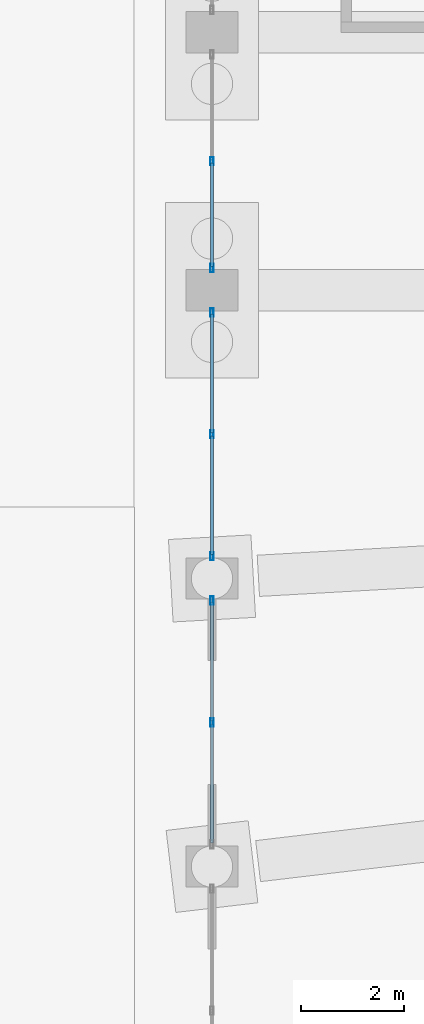
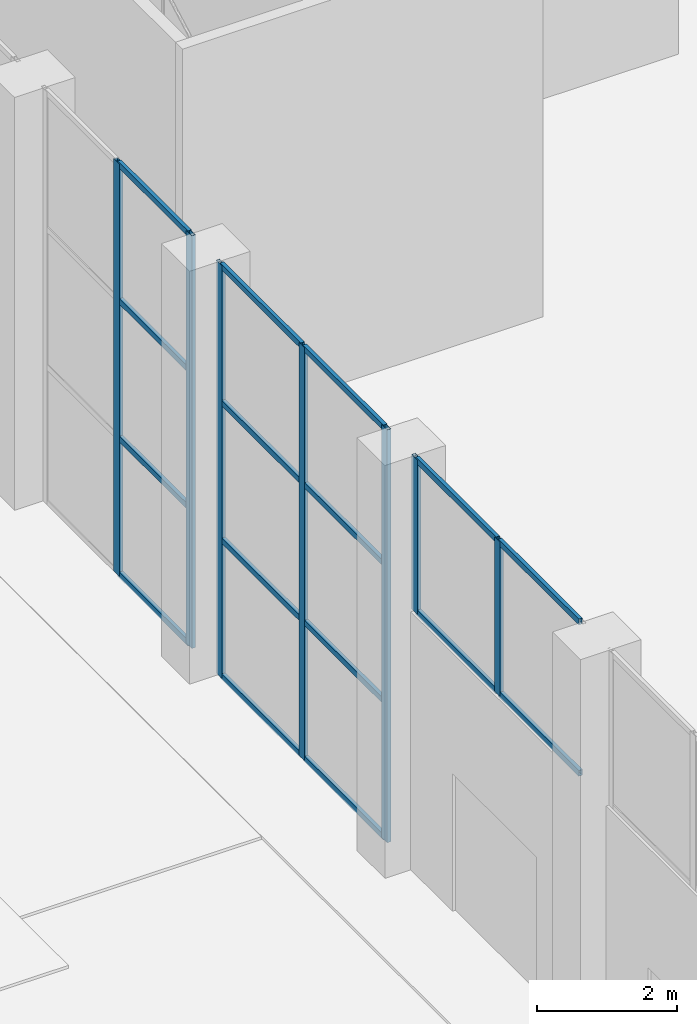
# One storey, part 102 of 239: 23 members, 3 elements without a shape of their own.
"""IFC4 building model written with IfcOpenShell, lengths in metres."""

from ifc_helpers import new_model, si_unit, direction, frame, origin, origin_2d, place, context, subcontext, project, spatial, hollow_rectangle, extrude, material, material_profile, profile_set, type_object, element, aggregate, save


model = new_model("IFC4")

# Units and contexts
model_context = context("Model", 3, precision=1e-05, world=origin(), true_north=direction((0.0, 1.0)))
body_context = subcontext(model_context, "Body", "Model", "MODEL_VIEW")
ifc_project = project(units=[si_unit("LENGTHUNIT", "METRE"), si_unit("AREAUNIT", "SQUARE_METRE"), si_unit("VOLUMEUNIT", "CUBIC_METRE"), si_unit("PLANEANGLEUNIT", "RADIAN"), si_unit("MASSUNIT", "GRAM", prefix="KILO")], contexts=[model_context])

# Site, building, storey
site_placement = place(None, origin())
site = spatial("IfcSite", under=ifc_project, at=site_placement, CompositionType="ELEMENT")
building_placement = place(site_placement, origin())
building = spatial("IfcBuilding", under=site, at=building_placement, Name="Okhra Congress Centre", CompositionType="ELEMENT")
storey_placement = place(building_placement, origin())
storey = spatial("IfcBuildingStorey", under=building, at=storey_placement, Name="L00", CompositionType="ELEMENT", Elevation=0.0)

# Curtain wall, members
ifc_material_1 = material(Name="Aluminium curtain wall, triple glazing", Category="aluminium")
curtain_wall_type = type_object("IfcCurtainWallType", Name="Curtain wall 2100 module", PredefinedType="NOTDEFINED", material=ifc_material_1)
curtain_wall_1_placement = place(storey_placement, origin())
curtain_wall_1 = element("IfcCurtainWall", 1, at=curtain_wall_1_placement, inside=storey, type_object=curtain_wall_type, Name="West bay 2 glazing above the doors", PredefinedType="NOTDEFINED")
ifc_material_2 = material(Name="Aluminium alloy EN AW-6063 T66", Category="aluminium")
ifc_material_profile_1 = material_profile(ifc_material_2, hollow_rectangle(XDim=0.06005859375, YDim=0.159912109375, WallThickness=0.00390625, at=origin_2d()), Name="RHS 60x160x4")
ifc_profile_set_1 = profile_set([ifc_material_profile_1], Name="Aluminium alloy EN AW-6063 T66")
member_type_1 = type_object("IfcMemberType", Name="Curtain wall mullion 60x160", PredefinedType="MULLION", material=ifc_profile_set_1)
member_1_placement = place(storey_placement, frame((155.5, 82.62353515625, 4.5), z_axis=(0.0, 0.0, 1.0), x_axis=(-1.0, 0.0, 0.0)))
member_1 = element("IfcMember", 2, at=member_1_placement, type_object=member_type_1, Name="CW4 mullion 2", PredefinedType="MULLION", context=body_context, shape_type="SweptSolid", body=[
    extrude(hollow_rectangle(XDim=0.06005859375, YDim=0.159912109375, WallThickness=0.00390625, at=origin_2d()), origin(), (0.0, 0.0, 1.0), 2.699951171875),
])
member_2_placement = place(storey_placement, frame((155.5, 84.985595703125, 4.5), z_axis=(0.0, 0.0, 1.0), x_axis=(-1.0, 0.0, 0.0)))
member_2 = element("IfcMember", 3, at=member_2_placement, type_object=member_type_1, Name="CW4 mullion 3", PredefinedType="MULLION", context=body_context, shape_type="SweptSolid", body=[
    extrude(hollow_rectangle(XDim=0.06005859375, YDim=0.159912109375, WallThickness=0.00390625, at=origin_2d()), origin(), (0.0, 0.0, 1.0), 2.699951171875),
])

curtain_wall_2_placement = place(storey_placement, origin())
curtain_wall_2 = element("IfcCurtainWall", 4, at=curtain_wall_2_placement, inside=storey, type_object=curtain_wall_type, Name="West bay 3 glazing", PredefinedType="NOTDEFINED")
member_3_placement = place(storey_placement, frame((155.5, 85.845703125, 0.0), z_axis=(0.0, 0.0, 1.0), x_axis=(-1.0, 0.0, 0.0)))
member_3 = element("IfcMember", 5, at=member_3_placement, type_object=member_type_1, Name="CW4 mullion 1", PredefinedType="MULLION", context=body_context, shape_type="SweptSolid", body=[
    extrude(hollow_rectangle(XDim=0.06005859375, YDim=0.159912109375, WallThickness=0.00390625, at=origin_2d()), origin(), (0.0, 0.0, 1.0), 7.199951171875),
])
member_4_placement = place(storey_placement, frame((155.5, 88.207763671875, 0.0), z_axis=(0.0, 0.0, 1.0), x_axis=(-1.0, 0.0, 0.0)))
member_4 = element("IfcMember", 6, at=member_4_placement, type_object=member_type_1, Name="CW4 mullion 2", PredefinedType="MULLION", context=body_context, shape_type="SweptSolid", body=[
    extrude(hollow_rectangle(XDim=0.06005859375, YDim=0.159912109375, WallThickness=0.00390625, at=origin_2d()), origin(), (0.0, 0.0, 1.0), 7.199951171875),
])
member_5_placement = place(storey_placement, frame((155.5, 90.570068359375, 0.0), z_axis=(0.0, 0.0, 1.0), x_axis=(-1.0, 0.0, 0.0)))
member_5 = element("IfcMember", 7, at=member_5_placement, type_object=member_type_1, Name="CW4 mullion 3", PredefinedType="MULLION", context=body_context, shape_type="SweptSolid", body=[
    extrude(hollow_rectangle(XDim=0.06005859375, YDim=0.159912109375, WallThickness=0.00390625, at=origin_2d()), origin(), (0.0, 0.0, 1.0), 7.199951171875),
])

curtain_wall_3_placement = place(storey_placement, origin())
curtain_wall_3 = element("IfcCurtainWall", 8, at=curtain_wall_3_placement, inside=storey, type_object=curtain_wall_type, Name="West bay 4 glazing", PredefinedType="NOTDEFINED")
member_6_placement = place(storey_placement, frame((155.5, 91.429931640625, 0.0), z_axis=(0.0, 0.0, 1.0), x_axis=(-1.0, 0.0, 0.0)))
member_6 = element("IfcMember", 9, at=member_6_placement, type_object=member_type_1, Name="CW4 mullion 1", PredefinedType="MULLION", context=body_context, shape_type="SweptSolid", body=[
    extrude(hollow_rectangle(XDim=0.06005859375, YDim=0.159912109375, WallThickness=0.00390625, at=origin_2d()), origin(), (0.0, 0.0, 1.0), 7.199951171875),
])
member_7_placement = place(storey_placement, frame((155.5, 93.5, 0.0), z_axis=(0.0, 0.0, 1.0), x_axis=(-1.0, 0.0, 0.0)))
member_7 = element("IfcMember", 10, at=member_7_placement, type_object=member_type_1, Name="CW4 mullion 2", PredefinedType="MULLION", context=body_context, shape_type="SweptSolid", body=[
    extrude(hollow_rectangle(XDim=0.06005859375, YDim=0.159912109375, WallThickness=0.00390625, at=origin_2d()), origin(), (0.0, 0.0, 1.0), 7.199951171875),
])

# Member
ifc_material_profile_2 = material_profile(ifc_material_2, hollow_rectangle(XDim=0.06005859375, YDim=0.10009765625, WallThickness=0.00390625, at=origin_2d()), Name="RHS 60x100x4")
ifc_profile_set_2 = profile_set([ifc_material_profile_2], Name="Aluminium alloy EN AW-6063 T66")
member_type_2 = type_object("IfcMemberType", Name="Curtain wall transom 60x100", PredefinedType="USERDEFINED", material=ifc_profile_set_2)
member_8_placement = place(storey_placement, frame((155.5, 80.291259765625, 4.530029296875), z_axis=(0.0, 1.0, 0.0), x_axis=(-1.0, 0.0, 0.0)))
member_8 = element("IfcMember", 11, at=member_8_placement, type_object=member_type_2, Name="CW4 transom 1.1", ObjectType="TRANSOM", PredefinedType="USERDEFINED", context=body_context, shape_type="SweptSolid", body=[
    extrude(hollow_rectangle(XDim=0.06005859375, YDim=0.10009765625, WallThickness=0.00390625, at=origin_2d()), origin(), (0.0, 0.0, 1.0), 2.30224609375),
])

member_9_placement = place(storey_placement, frame((155.5, 80.291259765625, 7.169921875), z_axis=(0.0, 1.0, 0.0), x_axis=(-1.0, 0.0, 0.0)))
member_9 = element("IfcMember", 12, at=member_9_placement, type_object=member_type_2, Name="CW4 transom 1.2", ObjectType="TRANSOM", PredefinedType="USERDEFINED", context=body_context, shape_type="SweptSolid", body=[
    extrude(hollow_rectangle(XDim=0.06005859375, YDim=0.10009765625, WallThickness=0.00390625, at=origin_2d()), origin(), (0.0, 0.0, 1.0), 2.30224609375),
])

member_10_placement = place(storey_placement, frame((155.5, 82.653564453125, 4.530029296875), z_axis=(0.0, 1.0, 0.0), x_axis=(-1.0, 0.0, 0.0)))
member_10 = element("IfcMember", 13, at=member_10_placement, type_object=member_type_2, Name="CW4 transom 2.1", ObjectType="TRANSOM", PredefinedType="USERDEFINED", context=body_context, shape_type="SweptSolid", body=[
    extrude(hollow_rectangle(XDim=0.06005859375, YDim=0.10009765625, WallThickness=0.00390625, at=origin_2d()), origin(), (0.0, 0.0, 1.0), 2.30224609375),
])

member_11_placement = place(storey_placement, frame((155.5, 82.653564453125, 7.169921875), z_axis=(0.0, 1.0, 0.0), x_axis=(-1.0, 0.0, 0.0)))
member_11 = element("IfcMember", 14, at=member_11_placement, type_object=member_type_2, Name="CW4 transom 2.2", ObjectType="TRANSOM", PredefinedType="USERDEFINED", context=body_context, shape_type="SweptSolid", body=[
    extrude(hollow_rectangle(XDim=0.06005859375, YDim=0.10009765625, WallThickness=0.00390625, at=origin_2d()), origin(), (0.0, 0.0, 1.0), 2.30224609375),
])

aggregate(curtain_wall_1, [member_1, member_2, member_8, member_9, member_10, member_11])

member_12_placement = place(storey_placement, frame((155.5, 85.875732421875, 0.030029296875), z_axis=(0.0, 1.0, 0.0), x_axis=(-1.0, 0.0, 0.0)))
member_12 = element("IfcMember", 15, at=member_12_placement, type_object=member_type_2, Name="CW4 transom 1.1", ObjectType="TRANSOM", PredefinedType="USERDEFINED", context=body_context, shape_type="SweptSolid", body=[
    extrude(hollow_rectangle(XDim=0.06005859375, YDim=0.10009765625, WallThickness=0.00390625, at=origin_2d()), origin(), (0.0, 0.0, 1.0), 2.302001953125),
])

member_13_placement = place(storey_placement, frame((155.5, 85.875732421875, 2.39990234375), z_axis=(0.0, 1.0, 0.0), x_axis=(-1.0, 0.0, 0.0)))
member_13 = element("IfcMember", 16, at=member_13_placement, type_object=member_type_2, Name="CW4 transom 1.2", ObjectType="TRANSOM", PredefinedType="USERDEFINED", context=body_context, shape_type="SweptSolid", body=[
    extrude(hollow_rectangle(XDim=0.06005859375, YDim=0.10009765625, WallThickness=0.00390625, at=origin_2d()), origin(), (0.0, 0.0, 1.0), 2.302001953125),
])

member_14_placement = place(storey_placement, frame((155.5, 85.875732421875, 4.800048828125), z_axis=(0.0, 1.0, 0.0), x_axis=(-1.0, 0.0, 0.0)))
member_14 = element("IfcMember", 17, at=member_14_placement, type_object=member_type_2, Name="CW4 transom 1.3", ObjectType="TRANSOM", PredefinedType="USERDEFINED", context=body_context, shape_type="SweptSolid", body=[
    extrude(hollow_rectangle(XDim=0.06005859375, YDim=0.10009765625, WallThickness=0.00390625, at=origin_2d()), origin(), (0.0, 0.0, 1.0), 2.302001953125),
])

member_15_placement = place(storey_placement, frame((155.5, 85.875732421875, 7.169921875), z_axis=(0.0, 1.0, 0.0), x_axis=(-1.0, 0.0, 0.0)))
member_15 = element("IfcMember", 18, at=member_15_placement, type_object=member_type_2, Name="CW4 transom 1.4", ObjectType="TRANSOM", PredefinedType="USERDEFINED", context=body_context, shape_type="SweptSolid", body=[
    extrude(hollow_rectangle(XDim=0.06005859375, YDim=0.10009765625, WallThickness=0.00390625, at=origin_2d()), origin(), (0.0, 0.0, 1.0), 2.302001953125),
])

member_16_placement = place(storey_placement, frame((155.5, 88.23779296875, 0.030029296875), z_axis=(0.0, 1.0, 0.0), x_axis=(-1.0, 0.0, 0.0)))
member_16 = element("IfcMember", 19, at=member_16_placement, type_object=member_type_2, Name="CW4 transom 2.1", ObjectType="TRANSOM", PredefinedType="USERDEFINED", context=body_context, shape_type="SweptSolid", body=[
    extrude(hollow_rectangle(XDim=0.06005859375, YDim=0.10009765625, WallThickness=0.00390625, at=origin_2d()), origin(), (0.0, 0.0, 1.0), 2.30224609375),
])

member_17_placement = place(storey_placement, frame((155.5, 88.23779296875, 2.39990234375), z_axis=(0.0, 1.0, 0.0), x_axis=(-1.0, 0.0, 0.0)))
member_17 = element("IfcMember", 20, at=member_17_placement, type_object=member_type_2, Name="CW4 transom 2.2", ObjectType="TRANSOM", PredefinedType="USERDEFINED", context=body_context, shape_type="SweptSolid", body=[
    extrude(hollow_rectangle(XDim=0.06005859375, YDim=0.10009765625, WallThickness=0.00390625, at=origin_2d()), origin(), (0.0, 0.0, 1.0), 2.30224609375),
])

member_18_placement = place(storey_placement, frame((155.5, 88.23779296875, 4.800048828125), z_axis=(0.0, 1.0, 0.0), x_axis=(-1.0, 0.0, 0.0)))
member_18 = element("IfcMember", 21, at=member_18_placement, type_object=member_type_2, Name="CW4 transom 2.3", ObjectType="TRANSOM", PredefinedType="USERDEFINED", context=body_context, shape_type="SweptSolid", body=[
    extrude(hollow_rectangle(XDim=0.06005859375, YDim=0.10009765625, WallThickness=0.00390625, at=origin_2d()), origin(), (0.0, 0.0, 1.0), 2.30224609375),
])

member_19_placement = place(storey_placement, frame((155.5, 88.23779296875, 7.169921875), z_axis=(0.0, 1.0, 0.0), x_axis=(-1.0, 0.0, 0.0)))
member_19 = element("IfcMember", 22, at=member_19_placement, type_object=member_type_2, Name="CW4 transom 2.4", ObjectType="TRANSOM", PredefinedType="USERDEFINED", context=body_context, shape_type="SweptSolid", body=[
    extrude(hollow_rectangle(XDim=0.06005859375, YDim=0.10009765625, WallThickness=0.00390625, at=origin_2d()), origin(), (0.0, 0.0, 1.0), 2.30224609375),
])

aggregate(curtain_wall_2, [member_3, member_4, member_5, member_12, member_13, member_14, member_15, member_16, member_17, member_18, member_19])

member_20_placement = place(storey_placement, frame((155.5, 91.4599609375, 0.030029296875), z_axis=(0.0, 1.0, 0.0), x_axis=(-1.0, 0.0, 0.0)))
member_20 = element("IfcMember", 23, at=member_20_placement, type_object=member_type_2, Name="CW4 transom 1.1", ObjectType="TRANSOM", PredefinedType="USERDEFINED", context=body_context, shape_type="SweptSolid", body=[
    extrude(hollow_rectangle(XDim=0.06005859375, YDim=0.10009765625, WallThickness=0.00390625, at=origin_2d()), origin(), (0.0, 0.0, 1.0), 2.010009765625),
])

member_21_placement = place(storey_placement, frame((155.5, 91.4599609375, 2.39990234375), z_axis=(0.0, 1.0, 0.0), x_axis=(-1.0, 0.0, 0.0)))
member_21 = element("IfcMember", 24, at=member_21_placement, type_object=member_type_2, Name="CW4 transom 1.2", ObjectType="TRANSOM", PredefinedType="USERDEFINED", context=body_context, shape_type="SweptSolid", body=[
    extrude(hollow_rectangle(XDim=0.06005859375, YDim=0.10009765625, WallThickness=0.00390625, at=origin_2d()), origin(), (0.0, 0.0, 1.0), 2.010009765625),
])

member_22_placement = place(storey_placement, frame((155.5, 91.4599609375, 4.800048828125), z_axis=(0.0, 1.0, 0.0), x_axis=(-1.0, 0.0, 0.0)))
member_22 = element("IfcMember", 25, at=member_22_placement, type_object=member_type_2, Name="CW4 transom 1.3", ObjectType="TRANSOM", PredefinedType="USERDEFINED", context=body_context, shape_type="SweptSolid", body=[
    extrude(hollow_rectangle(XDim=0.06005859375, YDim=0.10009765625, WallThickness=0.00390625, at=origin_2d()), origin(), (0.0, 0.0, 1.0), 2.010009765625),
])

member_23_placement = place(storey_placement, frame((155.5, 91.4599609375, 7.169921875), z_axis=(0.0, 1.0, 0.0), x_axis=(-1.0, 0.0, 0.0)))
member_23 = element("IfcMember", 26, at=member_23_placement, type_object=member_type_2, Name="CW4 transom 1.4", ObjectType="TRANSOM", PredefinedType="USERDEFINED", context=body_context, shape_type="SweptSolid", body=[
    extrude(hollow_rectangle(XDim=0.06005859375, YDim=0.10009765625, WallThickness=0.00390625, at=origin_2d()), origin(), (0.0, 0.0, 1.0), 2.010009765625),
])

aggregate(curtain_wall_3, [member_6, member_7, member_20, member_21, member_22, member_23])

save(model, "model.ifc")
